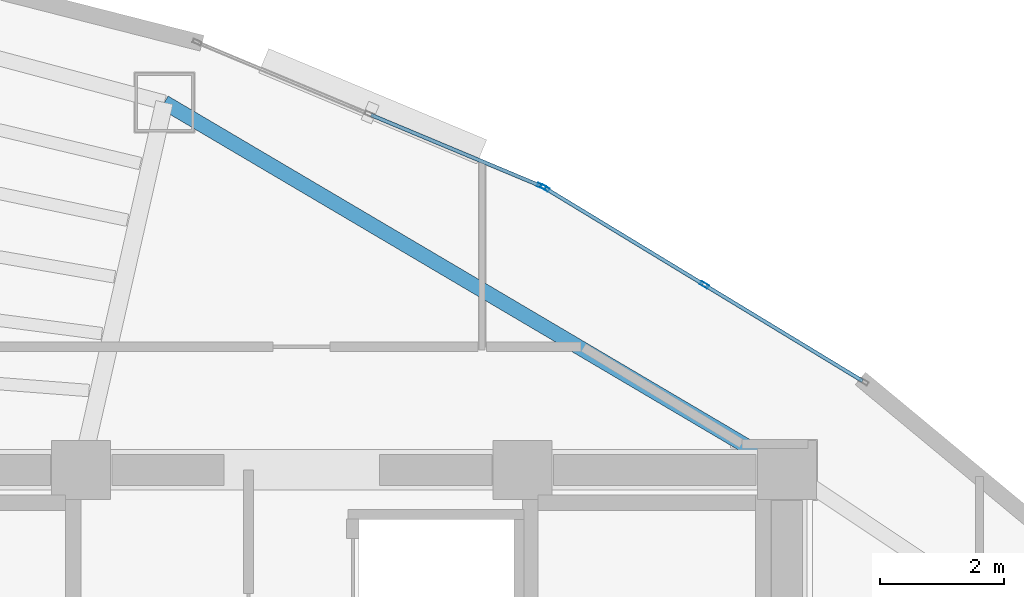
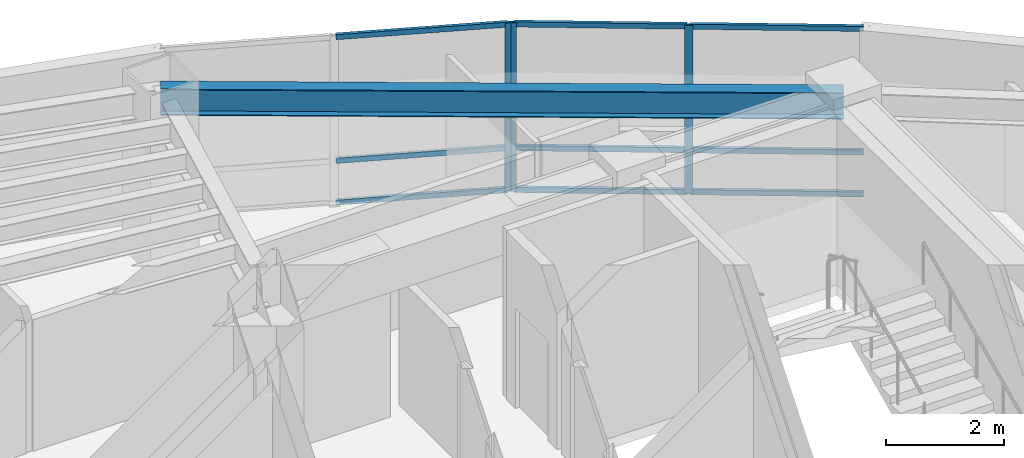
# One storey, part 10 of 15: 12 members, 1 beam, 2 elements without a shape of their own.
"""IFC4 building model written with IfcOpenShell, lengths in metres."""

import ifcopenshell
import ifcopenshell.guid

model = None  # the IFC model being written
_history = None  # IfcOwnerHistory: only IFC2X3 demands one
_inside = {}  # id of a spatial element -> (the spatial element, [elements in it])
_under = {}  # id of a project, library or spatial element -> (it, [spatial elements below it])
_declared = {}  # id of a project -> (the project, [libraries it declares])
_typed = {}  # id of a type object -> (the type object, [elements of that type])
_made_of = {}  # id of a material, layer set ... -> (it, [elements and type objects made of it])


def new_model(schema):
    """Start an empty IFC model of exactly this schema.

    Asked for "IFC4X3", IfcOpenShell would pick the latest addendum, in which some entities
    have other attributes; the version numbers below select the first issue.
    IFC2X3 requires an IfcOwnerHistory on every rooted entity: one is made here for all.
    """
    global model, _history
    if schema == "IFC4X3":
        model = ifcopenshell.file(schema_version=(4, 3, 0, 0))
    else:
        model = ifcopenshell.file(schema=schema)
    _inside.clear()
    _under.clear()
    _declared.clear()
    _typed.clear()
    _made_of.clear()
    _history = None
    if model.schema == "IFC2X3":
        org = make("IfcOrganization", Name="unknown")
        user = make(
            "IfcPersonAndOrganization",
            ThePerson=make("IfcPerson", FamilyName="unknown"),
            TheOrganization=org,
        )
        app = make(
            "IfcApplication",
            ApplicationDeveloper=org,
            Version="unknown",
            ApplicationFullName="unknown",
            ApplicationIdentifier="unknown",
        )
        _history = make(
            "IfcOwnerHistory",
            OwningUser=user,
            OwningApplication=app,
            ChangeAction="ADDED",
            CreationDate=0,
        )
    return model


def make(cls, **values):
    """One entity of the class cls with the attributes given. An attribute that is None is left unset."""
    return model.create_entity(
        cls, **{name: value for name, value in values.items() if value is not None}
    )


def rooted(cls, **values):
    """An entity with a GlobalId (a new one), such as an element, a storey or a relation."""
    return make(cls, GlobalId=ifcopenshell.guid.new(), OwnerHistory=_history, **values)


def si_unit(unit_type, name, prefix=None):
    """IfcSIUnit, for example si_unit("LENGTHUNIT", "METRE", prefix="MILLI")."""
    return make("IfcSIUnit", UnitType=unit_type, Prefix=prefix, Name=name)


def assignment(units):
    """IfcUnitAssignment: the units of a project."""
    return None if units is None else make("IfcUnitAssignment", Units=units)


def point(xyz):
    """IfcCartesianPoint."""
    return None if xyz is None else make("IfcCartesianPoint", Coordinates=xyz)


def direction(xyz):
    """IfcDirection."""
    return None if xyz is None else make("IfcDirection", DirectionRatios=xyz)


def frame(location, z_axis=None, x_axis=None):
    """IfcAxis2Placement3D, a coordinate frame: its origin and axes. An axis left out is left unset."""
    return make(
        "IfcAxis2Placement3D",
        Location=point(location),
        Axis=direction(z_axis),
        RefDirection=direction(x_axis),
    )


def frame_2d(location, x_axis=None):
    """IfcAxis2Placement2D, a coordinate frame in the plane: its origin and x axis."""
    return make(
        "IfcAxis2Placement2D", Location=point(location), RefDirection=direction(x_axis)
    )


def origin():
    """The frame at (0, 0, 0) with its axes left unset."""
    return frame((0.0, 0.0, 0.0))


def origin_2d():
    """The frame at (0, 0) in the plane with its x axis left unset."""
    return frame_2d((0.0, 0.0))


def place(relative_to, where):
    """IfcLocalPlacement: puts the frame where relative to a parent placement (None: the world)."""
    return make(
        "IfcLocalPlacement", PlacementRelTo=relative_to, RelativePlacement=where
    )


def context(
    kind, dimensions, precision=None, world=None, true_north=None, identifier=None
):
    """IfcGeometricRepresentationContext, for example the 3D "Model" context."""
    return make(
        "IfcGeometricRepresentationContext",
        ContextIdentifier=identifier,
        ContextType=kind,
        CoordinateSpaceDimension=dimensions,
        Precision=precision,
        WorldCoordinateSystem=world,
        TrueNorth=true_north,
    )


def subcontext(parent, identifier, kind, view, scale=None):
    """IfcGeometricRepresentationSubContext, for example "Body" below "Model"."""
    return make(
        "IfcGeometricRepresentationSubContext",
        ContextIdentifier=identifier,
        ContextType=kind,
        ParentContext=parent,
        TargetScale=scale,
        TargetView=view,
    )


def project(units=None, contexts=None):
    """IfcProject with its units and contexts."""
    return rooted(
        "IfcProject",
        Name="project",
        RepresentationContexts=contexts,
        UnitsInContext=assignment(units),
    )


def spatial(cls, under=None, at=None, **own):
    """A site, building, storey or space (cls), placed at a placement, below another one or the project."""
    s = rooted(cls, ObjectPlacement=at, **own)
    if under is not None:
        _under.setdefault(under.id(), (under, []))[1].append(s)
    return s


def profile(cls, at=None, kind="AREA", **sizes):
    """A parametric profile (cls). Its sizes go by their IFC names, for example OverallWidth=200.0."""
    return make(cls, ProfileType=kind, Position=at, **sizes)


def hollow_rectangle(**sizes):
    """IfcRectangleHollowProfileDef."""
    return profile("IfcRectangleHollowProfileDef", **sizes)


def i_section(**sizes):
    """IfcIShapeProfileDef."""
    return profile("IfcIShapeProfileDef", **sizes)


def extrude(swept, where, along, depth):
    """IfcExtrudedAreaSolid: the profile swept, set in the frame where, extruded along a direction by depth."""
    return make(
        "IfcExtrudedAreaSolid",
        SweptArea=swept,
        Position=where,
        ExtrudedDirection=direction(along),
        Depth=depth,
    )


def shape(context_of_items, identifier, shape_type, items):
    """IfcShapeRepresentation: the items that make up one representation, for example the "Body"."""
    return make(
        "IfcShapeRepresentation",
        ContextOfItems=context_of_items,
        RepresentationIdentifier=identifier,
        RepresentationType=shape_type,
        Items=items,
    )


def material(Name=None, Category=None):
    """IfcMaterial."""
    return make("IfcMaterial", Name=Name, Category=Category)


def layer(
    of_material, thickness, ventilated=None, Name=None, Category=None, Priority=None
):
    """IfcMaterialLayer: one layer of a wall or slab, of a material (None: an air gap)."""
    return make(
        "IfcMaterialLayer",
        Material=of_material,
        LayerThickness=thickness,
        IsVentilated=ventilated,
        Name=Name,
        Category=Category,
        Priority=Priority,
    )


def layer_set(layers, Name=None):
    """IfcMaterialLayerSet."""
    return make("IfcMaterialLayerSet", MaterialLayers=layers, LayerSetName=Name)


def material_profile(
    of_material, cross_section, Name=None, Category=None, Priority=None
):
    """IfcMaterialProfile: a cross section and its material."""
    return make(
        "IfcMaterialProfile",
        Name=Name,
        Material=of_material,
        Profile=cross_section,
        Priority=Priority,
        Category=Category,
    )


def profile_set(profiles, Name=None, composite=None):
    """IfcMaterialProfileSet."""
    return make(
        "IfcMaterialProfileSet",
        Name=Name,
        MaterialProfiles=profiles,
        CompositeProfile=composite,
    )


def made_of(thing, what):
    """Note that an element or type object is made of a material, layer set ...; save() writes the relation."""
    if what is not None:
        _made_of.setdefault(what.id(), (what, []))[1].append(thing)
    return thing


def type_object(cls, material=None, **own):
    """A type object (cls), such as IfcWallType, which elements share."""
    return made_of(rooted(cls, **own), material)


def element(
    cls,
    number,
    at=None,
    inside=None,
    cuts=None,
    type_object=None,
    material=None,
    context=None,
    identifier="Body",
    shape_type=None,
    held_by="IfcProductDefinitionShape",
    body=None,
    shapes=None,
    **own,
):
    """One element of the class cls, such as IfcWall. Its Tag is "e" and its number.

    at: its placement. inside: the storey or other place that contains it. cuts: it is an
    opening in that element (IfcRelVoidsElement). A single representation is given by context,
    identifier, shape_type and body (its items); several are given by shapes. held_by: the class
    of the entity that holds the representations. save() writes the other relations.
    """
    e = rooted(cls, Tag="e%d" % number, ObjectPlacement=at, **own)
    if body is not None:
        shapes = [shape(context, identifier, shape_type, body)]
    if shapes is not None:
        e.Representation = make(held_by, Representations=shapes)
    if inside is not None:
        _inside.setdefault(inside.id(), (inside, []))[1].append(e)
    if cuts is not None:
        rooted(
            "IfcRelVoidsElement", RelatingBuildingElement=cuts, RelatedOpeningElement=e
        )
    if type_object is not None:
        _typed.setdefault(type_object.id(), (type_object, []))[1].append(e)
    return made_of(e, material)


def aggregate(whole, parts):
    """IfcRelAggregates: a whole, such as a stair, and the parts it consists of."""
    return rooted("IfcRelAggregates", RelatingObject=whole, RelatedObjects=parts)


def save(model, path):
    """Write the relations noted so far, then the file.

    IfcRelAggregates (storeys below a building ...), IfcRelContainedInSpatialStructure (elements
    in a storey), IfcRelDefinesByType, IfcRelAssociatesMaterial and IfcRelDeclares: one each for
    every whole, place, type object, material and project.
    """
    for whole, parts in _under.values():
        aggregate(whole, parts)
    for where, things in _inside.values():
        rooted(
            "IfcRelContainedInSpatialStructure",
            RelatedElements=things,
            RelatingStructure=where,
        )
    for kind, things in _typed.values():
        rooted("IfcRelDefinesByType", RelatedObjects=things, RelatingType=kind)
    for what, things in _made_of.values():
        rooted("IfcRelAssociatesMaterial", RelatedObjects=things, RelatingMaterial=what)
    for by, libraries in _declared.values():
        rooted("IfcRelDeclares", RelatingContext=by, RelatedDefinitions=libraries)
    model.write(path)


model = new_model("IFC4")

# Units and contexts
model_context = context("Model", 3, precision=1e-05, world=origin(), true_north=direction((0.0, 1.0)))
body_context = subcontext(model_context, "Body", "Model", "MODEL_VIEW")
ifc_project = project(units=[si_unit("LENGTHUNIT", "METRE"), si_unit("AREAUNIT", "SQUARE_METRE"), si_unit("VOLUMEUNIT", "CUBIC_METRE"), si_unit("PLANEANGLEUNIT", "RADIAN"), si_unit("MASSUNIT", "GRAM", prefix="KILO")], contexts=[model_context])

# Site, building, storey
site_placement = place(None, origin())
site = spatial("IfcSite", under=ifc_project, at=site_placement, CompositionType="ELEMENT")
building_placement = place(site_placement, origin())
building = spatial("IfcBuilding", under=site, at=building_placement, Name="Menara Vayukalpa", CompositionType="ELEMENT")
storey_placement = place(building_placement, frame((0.0, 0.0, 187.800048828125)))
storey = spatial("IfcBuildingStorey", under=building, at=storey_placement, Name="L47", CompositionType="ELEMENT", Elevation=187.800048828125)

# Beam
ifc_material_1 = material(Name="Steel S355", Category="steel")
ifc_material_profile_1 = material_profile(ifc_material_1, i_section(OverallWidth=0.239990234375, OverallDepth=0.550048828125, WebThickness=0.010986328125, FlangeThickness=0.01904296875, at=origin_2d()), Name="WF 550x240x11x19")
ifc_profile_set_1 = profile_set([ifc_material_profile_1], Name="Steel S355")
beam_type = type_object("IfcBeamType", Name="BM-SP2", PredefinedType="SPANDREL", material=ifc_profile_set_1)
beam_placement = place(storey_placement, frame((33.39990234375, 26.800048828125, 3.224853515625), z_axis=(-0.861184403346, 0.508292655302, 0.0), x_axis=(-0.508292655302, -0.861184403346, 0.0)))
element("IfcBeam", 1, at=beam_placement, inside=storey, type_object=beam_type, Name="L47 Perimeter Spandrel Beam SP02", PredefinedType="SPANDREL", context=body_context, shape_type="SweptSolid", body=[
    extrude(i_section(OverallWidth=0.239990234375, OverallDepth=0.550048828125, WebThickness=0.010986328125, FlangeThickness=0.01904296875, at=origin_2d()), origin(), (0.0, 0.0, 1.0), 11.6240234375),
])

# Curtain wall, members
ifc_material_2 = material(Name="Anodised Terracotta Aluminium Alloy 6063-T6", Category="masonry")
ifc_layer = layer(ifc_material_2, 0.139892578125)
ifc_layer_set = layer_set([ifc_layer], Name="Anodised Terracotta Aluminium Alloy 6063-T6")
curtain_wall_type = type_object("IfcCurtainWallType", Name="CW-CW5", PredefinedType="USERDEFINED", material=ifc_layer_set)
curtain_wall_1_placement = place(storey_placement, origin())
curtain_wall_1 = element("IfcCurtainWall", 2, at=curtain_wall_1_placement, inside=storey, type_object=curtain_wall_type, Name="L47 High Rise Tapered Curtain Wall CW5 04", ObjectType="UNITISED", PredefinedType="USERDEFINED")
ifc_material_3 = material(Name="Anodised Terracotta Aluminium Alloy 6063-T6", Category="masonry")
ifc_material_profile_2 = material_profile(ifc_material_3, hollow_rectangle(XDim=0.06005859375, YDim=0.139892578125, WallThickness=0.00341796875, at=origin_2d()), Name="ALU 60x140x3.5")
ifc_profile_set_2 = profile_set([ifc_material_profile_2], Name="Anodised Terracotta Aluminium Alloy 6063-T6")
member_type_1 = type_object("IfcMemberType", Name="CWM-CW5", PredefinedType="MULLION", material=ifc_profile_set_2)
member_1_placement = place(storey_placement, frame((32.075439453125, 29.773681640625, 0.0), z_axis=(0.0, 0.0, 1.0), x_axis=(-0.519179911779, -0.854664974832, 0.0)))
member_1 = element("IfcMember", 3, at=member_1_placement, type_object=member_type_1, Name="CW5 mullion 2", PredefinedType="MULLION", context=body_context, shape_type="SweptSolid", body=[
    extrude(hollow_rectangle(XDim=0.06005859375, YDim=0.139892578125, WallThickness=0.00341796875, at=origin_2d()), origin(), (0.0, 0.0, 1.0), 3.5),
])
member_2_placement = place(storey_placement, frame((29.509521484375, 31.33251953125, 0.0), z_axis=(0.0, 0.0, 1.0), x_axis=(-0.519179911779, -0.854664974832, 0.0)))
member_2 = element("IfcMember", 4, at=member_2_placement, type_object=member_type_1, Name="CW5 mullion 3", PredefinedType="MULLION", context=body_context, shape_type="SweptSolid", body=[
    extrude(hollow_rectangle(XDim=0.06005859375, YDim=0.139892578125, WallThickness=0.00341796875, at=origin_2d()), origin(), (0.0, 0.0, 1.0), 3.5),
])

# Curtain wall, member
curtain_wall_2_placement = place(storey_placement, origin())
curtain_wall_2 = element("IfcCurtainWall", 5, at=curtain_wall_2_placement, inside=storey, type_object=curtain_wall_type, Name="L47 High Rise Tapered Curtain Wall CW5 05", ObjectType="UNITISED", PredefinedType="USERDEFINED")
member_3_placement = place(storey_placement, frame((29.4560546875, 31.359619140625, 0.0), z_axis=(0.0, 0.0, 1.0), x_axis=(-0.385902834406, -0.922539431351, 0.0)))
member_3 = element("IfcMember", 6, at=member_3_placement, type_object=member_type_1, Name="CW5 mullion 1", PredefinedType="MULLION", context=body_context, shape_type="SweptSolid", body=[
    extrude(hollow_rectangle(XDim=0.06005859375, YDim=0.139892578125, WallThickness=0.00341796875, at=origin_2d()), origin(), (0.0, 0.0, 1.0), 3.5),
])

# Member
ifc_material_4 = material(Name="Anodised Terracotta Aluminium Alloy 6063-T6", Category="masonry")
ifc_material_profile_3 = material_profile(ifc_material_4, hollow_rectangle(XDim=0.06005859375, YDim=0.10498046875, WallThickness=0.0029296875, at=origin_2d()), Name="ALU 60x105x3")
ifc_profile_set_3 = profile_set([ifc_material_profile_3], Name="Anodised Terracotta Aluminium Alloy 6063-T6")
member_type_2 = type_object("IfcMemberType", Name="CWT-CW5", PredefinedType="USERDEFINED", material=ifc_profile_set_3)
member_4_placement = place(storey_placement, frame((34.615966796875, 28.23046875, 0.030029296875), z_axis=(-0.854683649113, 0.519149169255, 0.0), x_axis=(-0.519149169255, -0.854683649113, 0.0)))
member_4 = element("IfcMember", 7, at=member_4_placement, type_object=member_type_2, Name="CW5 transom 1.1", ObjectType="TRANSOM", PredefinedType="USERDEFINED", context=body_context, shape_type="SweptSolid", body=[
    extrude(hollow_rectangle(XDim=0.06005859375, YDim=0.10498046875, WallThickness=0.0029296875, at=origin_2d()), origin(), (0.0, 0.0, 1.0), 2.9423828125),
])

member_5_placement = place(storey_placement, frame((34.615966796875, 28.23046875, 0.89990234375), z_axis=(-0.854683649113, 0.519149169255, 0.0), x_axis=(-0.519149169255, -0.854683649113, 0.0)))
member_5 = element("IfcMember", 8, at=member_5_placement, type_object=member_type_2, Name="CW5 transom 1.2", ObjectType="TRANSOM", PredefinedType="USERDEFINED", context=body_context, shape_type="SweptSolid", body=[
    extrude(hollow_rectangle(XDim=0.06005859375, YDim=0.10498046875, WallThickness=0.0029296875, at=origin_2d()), origin(), (0.0, 0.0, 1.0), 2.9423828125),
])

member_6_placement = place(storey_placement, frame((34.615966796875, 28.23046875, 3.469970703125), z_axis=(-0.854683649113, 0.519149169255, 0.0), x_axis=(-0.519149169255, -0.854683649113, 0.0)))
member_6 = element("IfcMember", 9, at=member_6_placement, type_object=member_type_2, Name="CW5 transom 1.3", ObjectType="TRANSOM", PredefinedType="USERDEFINED", context=body_context, shape_type="SweptSolid", body=[
    extrude(hollow_rectangle(XDim=0.06005859375, YDim=0.10498046875, WallThickness=0.0029296875, at=origin_2d()), origin(), (0.0, 0.0, 1.0), 2.9423828125),
])

member_7_placement = place(storey_placement, frame((32.0498046875, 29.789306640625, 0.030029296875), z_axis=(-0.85466128475, 0.51918598628, 0.0), x_axis=(-0.51918598628, -0.85466128475, 0.0)))
member_7 = element("IfcMember", 10, at=member_7_placement, type_object=member_type_2, Name="CW5 transom 2.1", ObjectType="TRANSOM", PredefinedType="USERDEFINED", context=body_context, shape_type="SweptSolid", body=[
    extrude(hollow_rectangle(XDim=0.06005859375, YDim=0.10498046875, WallThickness=0.0029296875, at=origin_2d()), origin(), (0.0, 0.0, 1.0), 2.9423828125),
])

member_8_placement = place(storey_placement, frame((32.0498046875, 29.789306640625, 0.89990234375), z_axis=(-0.85466128475, 0.51918598628, 0.0), x_axis=(-0.51918598628, -0.85466128475, 0.0)))
member_8 = element("IfcMember", 11, at=member_8_placement, type_object=member_type_2, Name="CW5 transom 2.2", ObjectType="TRANSOM", PredefinedType="USERDEFINED", context=body_context, shape_type="SweptSolid", body=[
    extrude(hollow_rectangle(XDim=0.06005859375, YDim=0.10498046875, WallThickness=0.0029296875, at=origin_2d()), origin(), (0.0, 0.0, 1.0), 2.9423828125),
])

member_9_placement = place(storey_placement, frame((32.0498046875, 29.789306640625, 3.469970703125), z_axis=(-0.85466128475, 0.51918598628, 0.0), x_axis=(-0.51918598628, -0.85466128475, 0.0)))
member_9 = element("IfcMember", 12, at=member_9_placement, type_object=member_type_2, Name="CW5 transom 2.3", ObjectType="TRANSOM", PredefinedType="USERDEFINED", context=body_context, shape_type="SweptSolid", body=[
    extrude(hollow_rectangle(XDim=0.06005859375, YDim=0.10498046875, WallThickness=0.0029296875, at=origin_2d()), origin(), (0.0, 0.0, 1.0), 2.9423828125),
])

aggregate(curtain_wall_1, [member_1, member_2, member_4, member_5, member_6, member_7, member_8, member_9])

member_10_placement = place(storey_placement, frame((29.428466796875, 31.371337890625, 0.030029296875), z_axis=(-0.922543360613, 0.385893440976, 0.0), x_axis=(-0.385893440976, -0.922543360613, 0.0)))
member_10 = element("IfcMember", 13, at=member_10_placement, type_object=member_type_2, Name="CW5 transom 1.1", ObjectType="TRANSOM", PredefinedType="USERDEFINED", context=body_context, shape_type="SweptSolid", body=[
    extrude(hollow_rectangle(XDim=0.06005859375, YDim=0.10498046875, WallThickness=0.0029296875, at=origin_2d()), origin(), (0.0, 0.0, 1.0), 2.942626953125),
])

member_11_placement = place(storey_placement, frame((29.428466796875, 31.371337890625, 0.89990234375), z_axis=(-0.922543360613, 0.385893440976, 0.0), x_axis=(-0.385893440976, -0.922543360613, 0.0)))
member_11 = element("IfcMember", 14, at=member_11_placement, type_object=member_type_2, Name="CW5 transom 1.2", ObjectType="TRANSOM", PredefinedType="USERDEFINED", context=body_context, shape_type="SweptSolid", body=[
    extrude(hollow_rectangle(XDim=0.06005859375, YDim=0.10498046875, WallThickness=0.0029296875, at=origin_2d()), origin(), (0.0, 0.0, 1.0), 2.942626953125),
])

member_12_placement = place(storey_placement, frame((29.428466796875, 31.371337890625, 3.469970703125), z_axis=(-0.922543360613, 0.385893440976, 0.0), x_axis=(-0.385893440976, -0.922543360613, 0.0)))
member_12 = element("IfcMember", 15, at=member_12_placement, type_object=member_type_2, Name="CW5 transom 1.3", ObjectType="TRANSOM", PredefinedType="USERDEFINED", context=body_context, shape_type="SweptSolid", body=[
    extrude(hollow_rectangle(XDim=0.06005859375, YDim=0.10498046875, WallThickness=0.0029296875, at=origin_2d()), origin(), (0.0, 0.0, 1.0), 2.942626953125),
])

aggregate(curtain_wall_2, [member_3, member_10, member_11, member_12])

save(model, "model.ifc")
